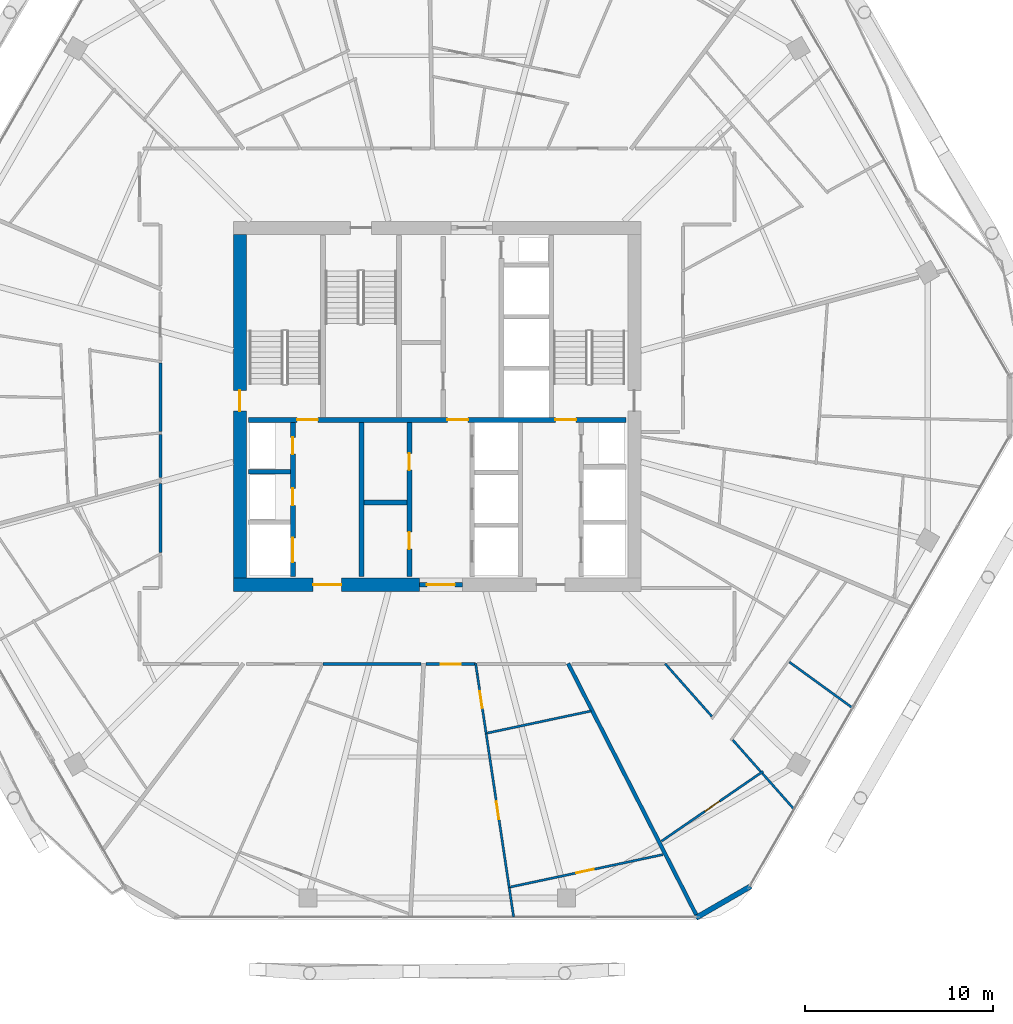
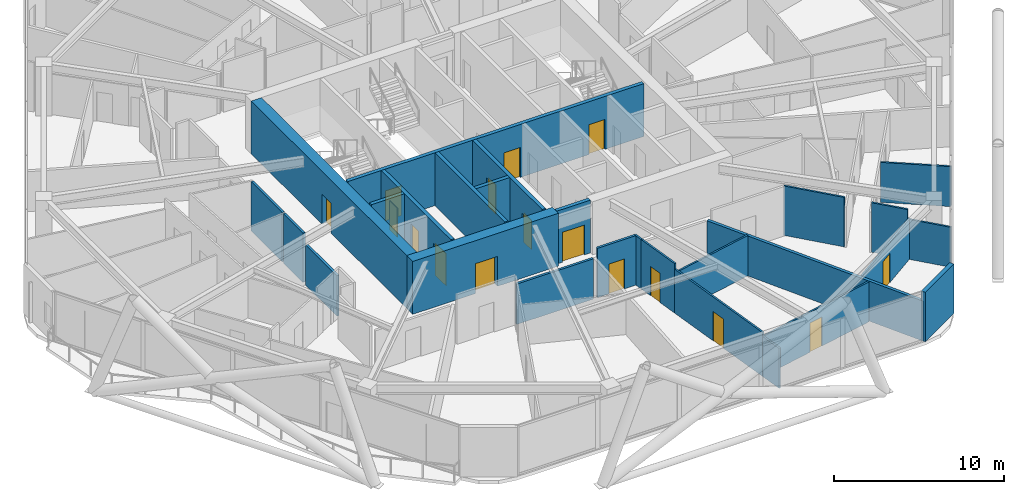
# One storey, part 22 of 29: 27 walls, 16 doors, 16 openings.
"""IFC4 building model written with IfcOpenShell, lengths in metres."""

from ifc_helpers import new_model, si_unit, direction, frame, frame_2d, origin, place, context, subcontext, project, spatial, rectangle, extrude, material, layer, layer_set, type_object, element, fill, save


model = new_model("IFC4")

# Units and contexts
model_context = context("Model", 3, precision=1e-05, world=origin(), true_north=direction((0.0, 1.0)))
body_context = subcontext(model_context, "Body", "Model", "MODEL_VIEW")
ifc_project = project(units=[si_unit("LENGTHUNIT", "METRE"), si_unit("AREAUNIT", "SQUARE_METRE"), si_unit("VOLUMEUNIT", "CUBIC_METRE"), si_unit("PLANEANGLEUNIT", "RADIAN"), si_unit("MASSUNIT", "GRAM", prefix="KILO")], contexts=[model_context])

# Site, building, storey
site_placement = place(None, origin())
site = spatial("IfcSite", under=ifc_project, at=site_placement, CompositionType="ELEMENT")
building_placement = place(site_placement, origin())
building = spatial("IfcBuilding", under=site, at=building_placement, Name="Zuhravey Tower", CompositionType="ELEMENT")
storey_placement = place(building_placement, frame((0.0, 0.0, 192.199951171875)))
storey = spatial("IfcBuildingStorey", under=building, at=storey_placement, Name="L48", CompositionType="ELEMENT", Elevation=192.199951171875)

# Wall, opening, door
ifc_material_1 = material(Name="Concrete C60/75", Category="concrete")
ifc_layer_1 = layer(ifc_material_1, 0.699951171875)
ifc_layer_set_1 = layer_set([ifc_layer_1], Name="Concrete C60/75")
wall_type_1 = type_object("IfcWallType", Name="Core Shear Wall 700", PredefinedType="SHEAR", material=ifc_layer_set_1)
wall_1_placement = place(storey_placement, frame((25.14990234375, 22.5, 0.0), z_axis=(0.0, 0.0, 1.0), x_axis=(1.0, 0.0, 0.0)))
wall_1 = element("IfcWall", 1, at=wall_1_placement, inside=storey, type_object=wall_type_1, Name="L48 South-West Core Shear Wall CW70", PredefinedType="SHEAR", context=body_context, shape_type="SweptSolid", body=[
    extrude(rectangle(XDim=9.900146484375, YDim=0.699951171875, at=frame_2d((4.9501953125, 0.0))), origin(), (0.0, 0.0, 1.0), 3.800048828125),
])
opening_1_placement = place(wall_1_placement, frame((4.25, 0.0, 0.0)))
opening_1 = element("IfcOpeningElement", 2, at=opening_1_placement, cuts=wall_1, Name="Opening FFD1", PredefinedType="OPENING", context=body_context, shape_type="SweptSolid", body=[
    extrude(rectangle(XDim=1.5, YDim=2.14990234375, at=frame_2d((0.75, 1.074951171875))), frame((0.0, 0.362060546875, 0.0), z_axis=(0.0, -1.0, 0.0), x_axis=(1.0, 0.0, 0.0)), (0.0, 0.0, 1.0), 0.723876953125),
])
ifc_material_2 = material(Name="Galvanised fire-rated steel leaf", Category="steel")
door_type_1 = type_object("IfcDoorType", Name="Firefighting Lobby Double Door 1500x2150", OperationType="DOUBLE_DOOR_SINGLE_SWING", PredefinedType="DOOR", material=ifc_material_2)
door_1_placement = place(opening_1_placement, origin())
door_1 = element("IfcDoor", 3, at=door_1_placement, inside=storey, type_object=door_type_1, Name="L48 Firefighting Lobby West Door", OperationType="DOUBLE_DOOR_SINGLE_SWING", OverallHeight=2.14990234375, OverallWidth=1.5, PredefinedType="DOOR", context=body_context, shape_type="SweptSolid", body=[
    extrude(rectangle(XDim=1.5, YDim=2.14990234375, at=frame_2d((0.75, 1.074951171875))), frame((0.0, 0.02490234375, 0.0), z_axis=(0.0, -1.0, 0.0), x_axis=(1.0, 0.0, 0.0)), (0.0, 0.0, 1.0), 0.050048828125),
])
fill(opening_1, door_1)

wall_2_placement = place(storey_placement, frame((25.5, 22.85009765625, 0.0), z_axis=(0.0, 0.0, 1.0), x_axis=(0.0, 1.0, 0.0)))
wall_2 = element("IfcWall", 4, at=wall_2_placement, inside=storey, type_object=wall_type_1, Name="L48 West Core Shear Wall CW70", PredefinedType="SHEAR", context=body_context, shape_type="SweptSolid", body=[
    extrude(rectangle(XDim=18.2998046875, YDim=0.699951171875, at=frame_2d((9.14990234375, 0.0))), origin(), (0.0, 0.0, 1.0), 3.800048828125),
])
opening_2_placement = place(wall_2_placement, frame((8.89990234375, 0.0, 0.0)))
opening_2 = element("IfcOpeningElement", 5, at=opening_2_placement, cuts=wall_2, Name="Opening STD1", PredefinedType="OPENING", context=body_context, shape_type="SweptSolid", body=[
    extrude(rectangle(XDim=1.10009765625, YDim=2.14990234375, at=frame_2d((0.550048828125, 1.074951171875))), frame((0.0, 0.362060546875, 0.0), z_axis=(0.0, -1.0, 0.0), x_axis=(1.0, 0.0, 0.0)), (0.0, 0.0, 1.0), 0.723876953125),
])
door_type_2 = type_object("IfcDoorType", Name="Protected Stair Fire Door 1100x2150", OperationType="NOTDEFINED", PredefinedType="USERDEFINED", material=ifc_material_2)
door_2_placement = place(opening_2_placement, frame((1.10009765625, 0.0, 0.0), z_axis=(0.0, 0.0, 1.0), x_axis=(-1.0, 0.0, 0.0)))
door_2 = element("IfcDoor", 6, at=door_2_placement, inside=storey, type_object=door_type_2, Name="L48 Stair ST1 Door", ObjectType="EXITDOOR", OperationType="SINGLE_SWING_LEFT", OverallHeight=2.14990234375, OverallWidth=1.10009765625, PredefinedType="USERDEFINED", context=body_context, shape_type="SweptSolid", body=[
    extrude(rectangle(XDim=1.10009765625, YDim=2.14990234375, at=frame_2d((0.550048828125, 1.074951171875))), frame((0.0, 0.02490234375, 0.0), z_axis=(0.0, -1.0, 0.0), x_axis=(1.0, 0.0, 0.0)), (0.0, 0.0, 1.0), 0.050048828125),
])
fill(opening_2, door_2)

ifc_material_3 = material(Name="Gypsum fire-rated stud partition")
ifc_layer_2 = layer(ifc_material_3, 0.159912109375)
ifc_layer_set_2 = layer_set([ifc_layer_2], Name="Gypsum fire-rated stud partition")
wall_type_2 = type_object("IfcWallType", Name="Corridor Fire Partition 160", PredefinedType="PARTITIONING", material=ifc_layer_set_2)
wall_3_placement = place(storey_placement, frame((35.420654296875, 18.27001953125, 0.0), z_axis=(0.0, 0.0, 1.0), x_axis=(1.0, 0.0, 0.0)))
wall_3 = element("IfcWall", 7, at=wall_3_placement, inside=storey, type_object=wall_type_2, Name="L48 IW16 Partition 050", PredefinedType="PARTITIONING", context=body_context, shape_type="SweptSolid", body=[
    extrude(rectangle(XDim=2.615966796875, YDim=0.159912109375, at=frame_2d((1.30810546875, 0.0))), origin(), (0.0, 0.0, 1.0), 3.550048828125),
])
opening_3_placement = place(wall_3_placement, frame((0.782958984375, 0.0, 0.0)))
opening_3 = element("IfcOpeningElement", 8, at=opening_3_placement, cuts=wall_3, Name="Opening APD1", PredefinedType="OPENING", context=body_context, shape_type="SweptSolid", body=[
    extrude(rectangle(XDim=1.050048828125, YDim=2.14990234375, at=frame_2d((0.52490234375, 1.074951171875))), frame((0.0, 0.092041015625, 0.0), z_axis=(0.0, -1.0, 0.0), x_axis=(1.0, 0.0, 0.0)), (0.0, 0.0, 1.0), 0.183837890625),
])
ifc_material_4 = material(Name="Solid-core oak fire-rated leaf")
door_type_3 = type_object("IfcDoorType", Name="Apartment Entrance Fire Door 1050x2150", OperationType="NOTDEFINED", PredefinedType="DOOR", material=ifc_material_4)
door_3_placement = place(opening_3_placement, frame((1.050048828125, 0.0, 0.0), z_axis=(0.0, 0.0, 1.0), x_axis=(-1.0, 0.0, 0.0)))
door_3 = element("IfcDoor", 9, at=door_3_placement, inside=storey, type_object=door_type_3, Name="L48 Door 050.1", OperationType="SINGLE_SWING_LEFT", OverallHeight=2.14990234375, OverallWidth=1.050048828125, PredefinedType="DOOR", context=body_context, shape_type="SweptSolid", body=[
    extrude(rectangle(XDim=1.050048828125, YDim=2.14990234375, at=frame_2d((0.52490234375, 1.074951171875))), frame((0.0, 0.02490234375, 0.0), z_axis=(0.0, -1.0, 0.0), x_axis=(1.0, 0.0, 0.0)), (0.0, 0.0, 1.0), 0.050048828125),
])
fill(opening_3, door_3)

# Walls
wall_4_placement = place(storey_placement, frame((21.27001953125, 34.3115234375, 0.0), z_axis=(0.0, 0.0, 1.0), x_axis=(0.0, -1.0, 0.0)))
element("IfcWall", 10, at=wall_4_placement, inside=storey, type_object=wall_type_2, Name="L48 IW16 Partition 136", PredefinedType="PARTITIONING", context=body_context, shape_type="SweptSolid", body=[
    extrude(rectangle(XDim=3.661865234375, YDim=0.159912109375, at=frame_2d((1.8310546875, 0.0))), origin(), (0.0, 0.0, 1.0), 3.550048828125),
])
wall_5_placement = place(storey_placement, frame((21.27001953125, 30.512939453125, 0.0), z_axis=(0.0, 0.0, 1.0), x_axis=(0.0, -1.0, 0.0)))
element("IfcWall", 11, at=wall_5_placement, inside=storey, type_object=wall_type_2, Name="L48 IW16 Partition 137", PredefinedType="PARTITIONING", context=body_context, shape_type="SweptSolid", body=[
    extrude(rectangle(XDim=2.3017578125, YDim=0.159912109375, at=frame_2d((1.15087890625, 0.0))), origin(), (0.0, 0.0, 1.0), 3.550048828125),
])
wall_6_placement = place(storey_placement, frame((21.27001953125, 27.894287109375, 0.0), z_axis=(0.0, 0.0, 1.0), x_axis=(0.0, -1.0, 0.0)))
element("IfcWall", 12, at=wall_6_placement, inside=storey, type_object=wall_type_2, Name="L48 IW16 Partition 141", PredefinedType="PARTITIONING", context=body_context, shape_type="SweptSolid", body=[
    extrude(rectangle(XDim=3.67578125, YDim=0.159912109375, at=frame_2d((1.837890625, 0.0))), origin(), (0.0, 0.0, 1.0), 2.900146484375),
])
wall_7_placement = place(storey_placement, frame((29.92041015625, 18.27001953125, 0.0), z_axis=(0.0, 0.0, 1.0), x_axis=(1.0, 0.0, 0.0)))
element("IfcWall", 13, at=wall_7_placement, inside=storey, type_object=wall_type_2, Name="L48 IW16 Partition 142", PredefinedType="PARTITIONING", context=body_context, shape_type="SweptSolid", body=[
    extrude(rectangle(XDim=5.2197265625, YDim=0.159912109375, at=frame_2d((2.60986328125, 0.0))), origin(), (0.0, 0.0, 1.0), 2.900146484375),
])
ifc_material_5 = material(Name="Precast concrete C40/50", Category="concrete")
ifc_layer_3 = layer(ifc_material_5, 0.280029296875)
ifc_layer_set_3 = layer_set([ifc_layer_3], Name="Precast concrete C40/50")
wall_type_3 = type_object("IfcWallType", Name="Crown Architectural Wall 280", PredefinedType="SOLIDWALL", material=ifc_layer_set_3)
wall_8_placement = place(storey_placement, frame((52.693115234375, 6.451904296875, 0.0), z_axis=(0.0, 0.0, 1.0), x_axis=(-0.866020068361, -0.500009241111, 0.0)))
element("IfcWall", 14, at=wall_8_placement, inside=storey, type_object=wall_type_3, Name="L48 Rounded Corner Closure Wall EW28-02", PredefinedType="SOLIDWALL", context=body_context, shape_type="SweptSolid", body=[
    extrude(rectangle(XDim=3.365234375, YDim=0.280029296875, at=frame_2d((1.6826171875, 0.0))), origin(), (0.0, 0.0, 1.0), 3.550048828125),
])

# Wall, opening, door
ifc_material_6 = material(Name="Concrete C50/60", Category="concrete")
ifc_layer_4 = layer(ifc_material_6, 0.25)
ifc_layer_set_4 = layer_set([ifc_layer_4], Name="Concrete C50/60")
wall_type_4 = type_object("IfcWallType", Name="Firefighting Shaft & Stair Wall 250", PredefinedType="SOLIDWALL", material=ifc_layer_set_4)
wall_9_placement = place(storey_placement, frame((35.06005859375, 22.5, 0.0), z_axis=(0.0, 0.0, 1.0), x_axis=(1.0, 0.0, 0.0)))
wall_9 = element("IfcWall", 15, at=wall_9_placement, inside=storey, type_object=wall_type_4, Name="L48 FW25 Shaft Wall 001", PredefinedType="SOLIDWALL", context=body_context, shape_type="SweptSolid", body=[
    extrude(rectangle(XDim=2.280029296875, YDim=0.25, at=frame_2d((1.14013671875, 0.0))), origin(), (0.0, 0.0, 1.0), 3.800048828125),
])
opening_4_placement = place(wall_9_placement, frame((0.389892578125, 0.0, 0.0)))
opening_4 = element("IfcOpeningElement", 16, at=opening_4_placement, cuts=wall_9, Name="Opening FFD1", PredefinedType="OPENING", context=body_context, shape_type="SweptSolid", body=[
    extrude(rectangle(XDim=1.5, YDim=2.14990234375, at=frame_2d((0.75, 1.074951171875))), frame((0.0, 0.136962890625, 0.0), z_axis=(0.0, -1.0, 0.0), x_axis=(1.0, 0.0, 0.0)), (0.0, 0.0, 1.0), 0.27392578125),
])
door_4_placement = place(opening_4_placement, frame((1.5, 0.0, 0.0), z_axis=(0.0, 0.0, 1.0), x_axis=(-1.0, 0.0, 0.0)))
door_4 = element("IfcDoor", 17, at=door_4_placement, inside=storey, type_object=door_type_1, Name="L48 South Lift Lobby Exit Door", OperationType="DOUBLE_DOOR_SINGLE_SWING", OverallHeight=2.14990234375, OverallWidth=1.5, PredefinedType="DOOR", context=body_context, shape_type="SweptSolid", body=[
    extrude(rectangle(XDim=1.5, YDim=2.14990234375, at=frame_2d((0.75, 1.074951171875))), frame((0.0, 0.02490234375, 0.0), z_axis=(0.0, -1.0, 0.0), x_axis=(1.0, 0.0, 0.0)), (0.0, 0.0, 1.0), 0.050048828125),
])
fill(opening_4, door_4)

# Wall, openings, doors
wall_10_placement = place(storey_placement, frame((25.949951171875, 31.27490234375, 0.0), z_axis=(0.0, 0.0, 1.0), x_axis=(1.0, 0.0, 0.0)))
wall_10 = element("IfcWall", 18, at=wall_10_placement, inside=storey, type_object=wall_type_4, Name="L48 FW25 Shaft Wall 003", PredefinedType="SOLIDWALL", context=body_context, shape_type="SweptSolid", body=[
    extrude(rectangle(XDim=20.10009765625, YDim=0.25, at=frame_2d((10.050048828125, 0.0))), origin(), (0.0, 0.0, 1.0), 3.800048828125),
])
opening_5_placement = place(wall_10_placement, frame((2.60009765625, 0.0, 0.0)))
opening_5 = element("IfcOpeningElement", 19, at=opening_5_placement, cuts=wall_10, Name="Opening STD1", PredefinedType="OPENING", context=body_context, shape_type="SweptSolid", body=[
    extrude(rectangle(XDim=1.10009765625, YDim=2.14990234375, at=frame_2d((0.550048828125, 1.074951171875))), frame((0.0, 0.136962890625, 0.0), z_axis=(0.0, -1.0, 0.0), x_axis=(1.0, 0.0, 0.0)), (0.0, 0.0, 1.0), 0.27392578125),
])
opening_6_placement = place(wall_10_placement, frame((10.60009765625, 0.0, 0.0)))
opening_6 = element("IfcOpeningElement", 20, at=opening_6_placement, cuts=wall_10, Name="Opening STD1", PredefinedType="OPENING", context=body_context, shape_type="SweptSolid", body=[
    extrude(rectangle(XDim=1.10009765625, YDim=2.14990234375, at=frame_2d((0.550048828125, 1.074951171875))), frame((0.0, 0.136962890625, 0.0), z_axis=(0.0, -1.0, 0.0), x_axis=(1.0, 0.0, 0.0)), (0.0, 0.0, 1.0), 0.27392578125),
])
opening_7_placement = place(wall_10_placement, frame((16.35009765625, 0.0, 0.0)))
opening_7 = element("IfcOpeningElement", 21, at=opening_7_placement, cuts=wall_10, Name="Opening STD1", PredefinedType="OPENING", context=body_context, shape_type="SweptSolid", body=[
    extrude(rectangle(XDim=1.10009765625, YDim=2.14990234375, at=frame_2d((0.550048828125, 1.074951171875))), frame((0.0, 0.136962890625, 0.0), z_axis=(0.0, -1.0, 0.0), x_axis=(1.0, 0.0, 0.0)), (0.0, 0.0, 1.0), 0.27392578125),
])
door_5_placement = place(opening_5_placement, origin())
door_5 = element("IfcDoor", 22, at=door_5_placement, inside=storey, type_object=door_type_2, Name="L48 FFL-W to ST1 Door", ObjectType="EXITDOOR", OperationType="SINGLE_SWING_RIGHT", OverallHeight=2.14990234375, OverallWidth=1.10009765625, PredefinedType="USERDEFINED", context=body_context, shape_type="SweptSolid", body=[
    extrude(rectangle(XDim=1.10009765625, YDim=2.14990234375, at=frame_2d((0.550048828125, 1.074951171875))), frame((0.0, 0.02490234375, 0.0), z_axis=(0.0, -1.0, 0.0), x_axis=(1.0, 0.0, 0.0)), (0.0, 0.0, 1.0), 0.050048828125),
])
fill(opening_5, door_5)
door_6_placement = place(opening_6_placement, origin())
door_6 = element("IfcDoor", 23, at=door_6_placement, inside=storey, type_object=door_type_2, Name="L48 Core Lobby Link Door", ObjectType="EXITDOOR", OperationType="SINGLE_SWING_LEFT", OverallHeight=2.14990234375, OverallWidth=1.10009765625, PredefinedType="USERDEFINED", context=body_context, shape_type="SweptSolid", body=[
    extrude(rectangle(XDim=1.10009765625, YDim=2.14990234375, at=frame_2d((0.550048828125, 1.074951171875))), frame((0.0, 0.02490234375, 0.0), z_axis=(0.0, -1.0, 0.0), x_axis=(1.0, 0.0, 0.0)), (0.0, 0.0, 1.0), 0.050048828125),
])
fill(opening_6, door_6)
door_7_placement = place(opening_7_placement, origin())
door_7 = element("IfcDoor", 24, at=door_7_placement, inside=storey, type_object=door_type_2, Name="L48 FFL-E to ST2 Door", ObjectType="EXITDOOR", OperationType="SINGLE_SWING_RIGHT", OverallHeight=2.14990234375, OverallWidth=1.10009765625, PredefinedType="USERDEFINED", context=body_context, shape_type="SweptSolid", body=[
    extrude(rectangle(XDim=1.10009765625, YDim=2.14990234375, at=frame_2d((0.550048828125, 1.074951171875))), frame((0.0, 0.02490234375, 0.0), z_axis=(0.0, -1.0, 0.0), x_axis=(1.0, 0.0, 0.0)), (0.0, 0.0, 1.0), 0.050048828125),
])
fill(opening_7, door_7)

# Wall
wall_11_placement = place(storey_placement, frame((25.949951171875, 28.52490234375, 0.0), z_axis=(0.0, 0.0, 1.0), x_axis=(1.0, 0.0, 0.0)))
element("IfcWall", 25, at=wall_11_placement, inside=storey, type_object=wall_type_4, Name="L48 FW25 Shaft Wall 010", PredefinedType="SOLIDWALL", context=body_context, shape_type="SweptSolid", body=[
    extrude(rectangle(XDim=2.25, YDim=0.25, at=frame_2d((1.125, 0.0))), origin(), (0.0, 0.0, 1.0), 3.800048828125),
])

# Wall, openings, doors
wall_12_placement = place(storey_placement, frame((28.324951171875, 22.949951171875, 0.0), z_axis=(0.0, 0.0, 1.0), x_axis=(0.0, 1.0, 0.0)))
wall_12 = element("IfcWall", 26, at=wall_12_placement, inside=storey, type_object=wall_type_4, Name="L48 FW25 Shaft Wall 011", PredefinedType="SOLIDWALL", context=body_context, shape_type="SweptSolid", body=[
    extrude(rectangle(XDim=8.199951171875, YDim=0.25, at=frame_2d((4.10009765625, 0.0))), origin(), (0.0, 0.0, 1.0), 3.800048828125),
])
opening_8_placement = place(wall_12_placement, frame((0.75, 0.0, 0.0)))
opening_8 = element("IfcOpeningElement", 27, at=opening_8_placement, cuts=wall_12, Name="Opening LD2", PredefinedType="OPENING", context=body_context, shape_type="SweptSolid", body=[
    extrude(rectangle(XDim=1.300048828125, YDim=2.300048828125, at=frame_2d((0.64990234375, 1.14990234375))), frame((0.0, 0.136962890625, 0.0), z_axis=(0.0, -1.0, 0.0), x_axis=(1.0, 0.0, 0.0)), (0.0, 0.0, 1.0), 0.27392578125),
])
opening_9_placement = place(wall_12_placement, frame((3.780029296875, 0.0, 0.0)))
opening_9 = element("IfcOpeningElement", 28, at=opening_9_placement, cuts=wall_12, Name="Opening RSD1", PredefinedType="OPENING", context=body_context, shape_type="SweptSolid", body=[
    extrude(rectangle(XDim=0.89990234375, YDim=2.10009765625, at=frame_2d((0.449951171875, 1.050048828125))), frame((0.0, 0.136962890625, 0.0), z_axis=(0.0, -1.0, 0.0), x_axis=(1.0, 0.0, 0.0)), (0.0, 0.0, 1.0), 0.27392578125),
])
opening_10_placement = place(wall_12_placement, frame((6.5, 0.0, 0.0)))
opening_10 = element("IfcOpeningElement", 29, at=opening_10_placement, cuts=wall_12, Name="Opening RSD1", PredefinedType="OPENING", context=body_context, shape_type="SweptSolid", body=[
    extrude(rectangle(XDim=0.89990234375, YDim=2.10009765625, at=frame_2d((0.449951171875, 1.050048828125))), frame((0.0, 0.136962890625, 0.0), z_axis=(0.0, -1.0, 0.0), x_axis=(1.0, 0.0, 0.0)), (0.0, 0.0, 1.0), 0.27392578125),
])
ifc_material_7 = material(Name="Brushed stainless steel", Category="steel")
door_type_4 = type_object("IfcDoorType", Name="Freight & Stretcher Lift Sliding Door 1300x2300", OperationType="DOUBLE_DOOR_SLIDING", PredefinedType="DOOR", material=ifc_material_7)
door_8_placement = place(opening_8_placement, frame((1.300048828125, 0.0, 0.0), z_axis=(0.0, 0.0, 1.0), x_axis=(-1.0, 0.0, 0.0)))
door_8 = element("IfcDoor", 30, at=door_8_placement, inside=storey, type_object=door_type_4, Name="L48 Lift FF1 Landing Door", OperationType="DOUBLE_DOOR_SLIDING", OverallHeight=2.300048828125, OverallWidth=1.300048828125, PredefinedType="DOOR", context=body_context, shape_type="SweptSolid", body=[
    extrude(rectangle(XDim=1.300048828125, YDim=2.300048828125, at=frame_2d((0.64990234375, 1.14990234375))), frame((0.0, 0.02490234375, 0.0), z_axis=(0.0, -1.0, 0.0), x_axis=(1.0, 0.0, 0.0)), (0.0, 0.0, 1.0), 0.050048828125),
])
fill(opening_8, door_8)
ifc_material_8 = material(Name="Galvanised fire-rated steel access leaf", Category="steel")
door_type_5 = type_object("IfcDoorType", Name="Riser & Shaft Access Fire Door 900x2100", OperationType="NOTDEFINED", PredefinedType="DOOR", material=ifc_material_8)
door_9_placement = place(opening_9_placement, frame((0.89990234375, 0.0, 0.0), z_axis=(0.0, 0.0, 1.0), x_axis=(-1.0, 0.0, 0.0)))
door_9 = element("IfcDoor", 31, at=door_9_placement, inside=storey, type_object=door_type_5, Name="L48 Electrical Riser Door", OperationType="SINGLE_SWING_RIGHT", OverallHeight=2.10009765625, OverallWidth=0.89990234375, PredefinedType="DOOR", context=body_context, shape_type="SweptSolid", body=[
    extrude(rectangle(XDim=0.89990234375, YDim=2.10009765625, at=frame_2d((0.449951171875, 1.050048828125))), frame((0.0, 0.02490234375, 0.0), z_axis=(0.0, -1.0, 0.0), x_axis=(1.0, 0.0, 0.0)), (0.0, 0.0, 1.0), 0.050048828125),
])
fill(opening_9, door_9)
door_10_placement = place(opening_10_placement, frame((0.89990234375, 0.0, 0.0), z_axis=(0.0, 0.0, 1.0), x_axis=(-1.0, 0.0, 0.0)))
door_10 = element("IfcDoor", 32, at=door_10_placement, inside=storey, type_object=door_type_5, Name="L48 Smoke Shaft Access Door", OperationType="SINGLE_SWING_LEFT", OverallHeight=2.10009765625, OverallWidth=0.89990234375, PredefinedType="DOOR", context=body_context, shape_type="SweptSolid", body=[
    extrude(rectangle(XDim=0.89990234375, YDim=2.10009765625, at=frame_2d((0.449951171875, 1.050048828125))), frame((0.0, 0.02490234375, 0.0), z_axis=(0.0, -1.0, 0.0), x_axis=(1.0, 0.0, 0.0)), (0.0, 0.0, 1.0), 0.050048828125),
])
fill(opening_10, door_10)

# Walls
wall_13_placement = place(storey_placement, frame((31.97509765625, 22.949951171875, 0.0), z_axis=(0.0, 0.0, 1.0), x_axis=(0.0, 1.0, 0.0)))
element("IfcWall", 33, at=wall_13_placement, inside=storey, type_object=wall_type_4, Name="L48 FW25 Shaft Wall 012", PredefinedType="SOLIDWALL", context=body_context, shape_type="SweptSolid", body=[
    extrude(rectangle(XDim=8.199951171875, YDim=0.25, at=frame_2d((4.10009765625, 0.0))), origin(), (0.0, 0.0, 1.0), 3.800048828125),
])
wall_14_placement = place(storey_placement, frame((32.10009765625, 26.875, 0.0), z_axis=(0.0, 0.0, 1.0), x_axis=(1.0, 0.0, 0.0)))
element("IfcWall", 34, at=wall_14_placement, inside=storey, type_object=wall_type_4, Name="L48 FW25 Shaft Wall 013", PredefinedType="SOLIDWALL", context=body_context, shape_type="SweptSolid", body=[
    extrude(rectangle(XDim=2.2998046875, YDim=0.25, at=frame_2d((1.14990234375, 0.0))), origin(), (0.0, 0.0, 1.0), 3.800048828125),
])

# Wall, openings, doors
wall_15_placement = place(storey_placement, frame((34.52490234375, 22.949951171875, 0.0), z_axis=(0.0, 0.0, 1.0), x_axis=(0.0, 1.0, 0.0)))
wall_15 = element("IfcWall", 35, at=wall_15_placement, inside=storey, type_object=wall_type_4, Name="L48 FW25 Shaft Wall 014", PredefinedType="SOLIDWALL", context=body_context, shape_type="SweptSolid", body=[
    extrude(rectangle(XDim=8.199951171875, YDim=0.25, at=frame_2d((4.10009765625, 0.0))), origin(), (0.0, 0.0, 1.0), 3.800048828125),
])
opening_11_placement = place(wall_15_placement, frame((1.449951171875, 0.0, 0.0)))
opening_11 = element("IfcOpeningElement", 36, at=opening_11_placement, cuts=wall_15, Name="Opening RSD1", PredefinedType="OPENING", context=body_context, shape_type="SweptSolid", body=[
    extrude(rectangle(XDim=0.89990234375, YDim=2.10009765625, at=frame_2d((0.449951171875, 1.050048828125))), frame((0.0, 0.136962890625, 0.0), z_axis=(0.0, -1.0, 0.0), x_axis=(1.0, 0.0, 0.0)), (0.0, 0.0, 1.0), 0.27392578125),
])
opening_12_placement = place(wall_15_placement, frame((5.64990234375, 0.0, 0.0)))
opening_12 = element("IfcOpeningElement", 37, at=opening_12_placement, cuts=wall_15, Name="Opening RSD1", PredefinedType="OPENING", context=body_context, shape_type="SweptSolid", body=[
    extrude(rectangle(XDim=0.89990234375, YDim=2.10009765625, at=frame_2d((0.449951171875, 1.050048828125))), frame((0.0, 0.136962890625, 0.0), z_axis=(0.0, -1.0, 0.0), x_axis=(1.0, 0.0, 0.0)), (0.0, 0.0, 1.0), 0.27392578125),
])
door_11_placement = place(opening_11_placement, origin())
door_11 = element("IfcDoor", 38, at=door_11_placement, inside=storey, type_object=door_type_5, Name="L48 Housekeeping and Linen Room Door", OperationType="SINGLE_SWING_RIGHT", OverallHeight=2.10009765625, OverallWidth=0.89990234375, PredefinedType="DOOR", context=body_context, shape_type="SweptSolid", body=[
    extrude(rectangle(XDim=0.89990234375, YDim=2.10009765625, at=frame_2d((0.449951171875, 1.050048828125))), frame((0.0, 0.02490234375, 0.0), z_axis=(0.0, -1.0, 0.0), x_axis=(1.0, 0.0, 0.0)), (0.0, 0.0, 1.0), 0.050048828125),
])
fill(opening_11, door_11)
door_12_placement = place(opening_12_placement, origin())
door_12 = element("IfcDoor", 39, at=door_12_placement, inside=storey, type_object=door_type_5, Name="L48 Telecoms Switch Closet Door", OperationType="SINGLE_SWING_LEFT", OverallHeight=2.10009765625, OverallWidth=0.89990234375, PredefinedType="DOOR", context=body_context, shape_type="SweptSolid", body=[
    extrude(rectangle(XDim=0.89990234375, YDim=2.10009765625, at=frame_2d((0.449951171875, 1.050048828125))), frame((0.0, 0.02490234375, 0.0), z_axis=(0.0, -1.0, 0.0), x_axis=(1.0, 0.0, 0.0)), (0.0, 0.0, 1.0), 0.050048828125),
])
fill(opening_12, door_12)

# Wall
ifc_material_9 = material(Name="Gypsum double-stud party assembly")
ifc_layer_5 = layer(ifc_material_9, 0.199951171875)
ifc_layer_set_5 = layer_set([ifc_layer_5], Name="Gypsum double-stud party assembly")
wall_type_5 = type_object("IfcWallType", Name="Inter-Tenancy Party Wall 200", PredefinedType="PARTITIONING", material=ifc_layer_set_5)
wall_16_placement = place(storey_placement, frame((42.975341796875, 18.31005859375, 0.0), z_axis=(0.0, 0.0, 1.0), x_axis=(0.453997506489, -0.891002954037, 0.0)))
element("IfcWall", 40, at=wall_16_placement, inside=storey, type_object=wall_type_5, Name="L48 IW20 Partition 112", PredefinedType="PARTITIONING", context=body_context, shape_type="SweptSolid", body=[
    extrude(rectangle(XDim=15.143798828125, YDim=0.199951171875, at=frame_2d((7.57177734375, 0.0))), origin(), (0.0, 0.0, 1.0), 2.8701171875),
])

# Wall, opening, door
ifc_material_10 = material(Name="Gypsum metal-stud partition")
ifc_layer_6 = layer(ifc_material_10, 0.1201171875)
ifc_layer_set_6 = layer_set([ifc_layer_6], Name="Gypsum metal-stud partition")
wall_type_6 = type_object("IfcWallType", Name="Unit Internal Partition 120", PredefinedType="PARTITIONING", material=ifc_layer_set_6)
wall_17_placement = place(storey_placement, frame((38.142333984375, 17.699951171875, 0.0), z_axis=(0.0, 0.0, 1.0), x_axis=(0.148099173733, -0.988972514653, 0.0)))
wall_17 = element("IfcWall", 41, at=wall_17_placement, inside=storey, type_object=wall_type_6, Name="L48 IW12 Partition 047", PredefinedType="PARTITIONING", context=body_context, shape_type="SweptSolid", body=[
    extrude(rectangle(XDim=3.166748046875, YDim=0.1201171875, at=frame_2d((1.58349609375, 0.0))), origin(), (0.0, 0.0, 1.0), 3.550048828125),
])
opening_13_placement = place(wall_17_placement, frame((0.8798828125, 0.0, 0.0)))
opening_13 = element("IfcOpeningElement", 42, at=opening_13_placement, cuts=wall_17, Name="Opening WCD1", PredefinedType="OPENING", context=body_context, shape_type="SweptSolid", body=[
    extrude(rectangle(XDim=0.89990234375, YDim=2.10009765625, at=frame_2d((0.449951171875, 1.050048828125))), frame((0.0, 0.072021484375, 0.0), z_axis=(0.0, -1.0, 0.0), x_axis=(1.0, 0.0, 0.0)), (0.0, 0.0, 1.0), 0.14404296875),
])
ifc_material_11 = material(Name="Moisture-resistant timber leaf", Category="wood")
door_type_6 = type_object("IfcDoorType", Name="Bathroom & WC Internal Door 900x2100", OperationType="NOTDEFINED", PredefinedType="DOOR", material=ifc_material_11)
door_13_placement = place(opening_13_placement, origin())
door_13 = element("IfcDoor", 43, at=door_13_placement, inside=storey, type_object=door_type_6, Name="Apartment L48-08 Bathroom Door", OperationType="SINGLE_SWING_RIGHT", OverallHeight=2.10009765625, OverallWidth=0.89990234375, PredefinedType="DOOR", context=body_context, shape_type="SweptSolid", body=[
    extrude(rectangle(XDim=0.89990234375, YDim=2.10009765625, at=frame_2d((0.449951171875, 1.050048828125))), frame((0.0, 0.02490234375, 0.0), z_axis=(0.0, -1.0, 0.0), x_axis=(1.0, 0.0, 0.0)), (0.0, 0.0, 1.0), 0.050048828125),
])
fill(opening_13, door_13)

wall_18_placement = place(storey_placement, frame((38.611328125, 14.568115234375, 0.0), z_axis=(0.0, 0.0, 1.0), x_axis=(0.148161808742, -0.988963132999, 0.0)))
wall_18 = element("IfcWall", 44, at=wall_18_placement, inside=storey, type_object=wall_type_6, Name="L48 IW12 Partition 048", PredefinedType="PARTITIONING", context=body_context, shape_type="SweptSolid", body=[
    extrude(rectangle(XDim=8.286865234375, YDim=0.1201171875, at=frame_2d((4.1435546875, 0.0))), origin(), (0.0, 0.0, 1.0), 3.150146484375),
])
opening_14_placement = place(wall_18_placement, frame((3.643310546875, 0.0, 0.0)))
opening_14 = element("IfcOpeningElement", 45, at=opening_14_placement, cuts=wall_18, Name="Opening IND1", PredefinedType="OPENING", context=body_context, shape_type="SweptSolid", body=[
    extrude(rectangle(XDim=0.949951171875, YDim=2.10009765625, at=frame_2d((0.47509765625, 1.050048828125))), frame((0.0, 0.072021484375, 0.0), z_axis=(0.0, -1.0, 0.0), x_axis=(1.0, 0.0, 0.0)), (0.0, 0.0, 1.0), 0.14404296875),
])
ifc_material_12 = material(Name="Painted engineered timber leaf", Category="wood")
door_type_7 = type_object("IfcDoorType", Name="Internal Room & Bedroom Door 950x2100", OperationType="NOTDEFINED", PredefinedType="DOOR", material=ifc_material_12)
door_14_placement = place(opening_14_placement, origin())
door_14 = element("IfcDoor", 46, at=door_14_placement, inside=storey, type_object=door_type_7, Name="Apartment L48-08 Home Office Door", OperationType="SINGLE_SWING_LEFT", OverallHeight=2.10009765625, OverallWidth=0.949951171875, PredefinedType="DOOR", context=body_context, shape_type="SweptSolid", body=[
    extrude(rectangle(XDim=0.949951171875, YDim=2.10009765625, at=frame_2d((0.47509765625, 1.050048828125))), frame((0.0, 0.02490234375, 0.0), z_axis=(0.0, -1.0, 0.0), x_axis=(1.0, 0.0, 0.0)), (0.0, 0.0, 1.0), 0.050048828125),
])
fill(opening_14, door_14)

wall_19_placement = place(storey_placement, frame((39.902099609375, 6.411865234375, 0.0), z_axis=(0.0, 0.0, 1.0), x_axis=(0.978148894312, 0.207905604918, 0.0)))
wall_19 = element("IfcWall", 47, at=wall_19_placement, inside=storey, type_object=wall_type_6, Name="L48 IW12 Partition 049", PredefinedType="PARTITIONING", context=body_context, shape_type="SweptSolid", body=[
    extrude(rectangle(XDim=8.289306640625, YDim=0.1201171875, at=frame_2d((4.14453125, 0.0))), origin(), (0.0, 0.0, 1.0), 2.8701171875),
])
opening_15_placement = place(wall_19_placement, frame((3.585693359375, 0.0, 0.0)))
opening_15 = element("IfcOpeningElement", 48, at=opening_15_placement, cuts=wall_19, Name="Opening IND1", PredefinedType="OPENING", context=body_context, shape_type="SweptSolid", body=[
    extrude(rectangle(XDim=0.949951171875, YDim=2.10009765625, at=frame_2d((0.47509765625, 1.050048828125))), frame((0.0, 0.072021484375, 0.0), z_axis=(0.0, -1.0, 0.0), x_axis=(1.0, 0.0, 0.0)), (0.0, 0.0, 1.0), 0.14404296875),
])
door_15_placement = place(opening_15_placement, frame((0.949951171875, 0.0, 0.0), z_axis=(0.0, 0.0, 1.0), x_axis=(-1.0, 0.0, 0.0)))
door_15 = element("IfcDoor", 49, at=door_15_placement, inside=storey, type_object=door_type_7, Name="Apartment L48-08 Kitchen Door", OperationType="SINGLE_SWING_RIGHT", OverallHeight=2.10009765625, OverallWidth=0.949951171875, PredefinedType="DOOR", context=body_context, shape_type="SweptSolid", body=[
    extrude(rectangle(XDim=0.949951171875, YDim=2.10009765625, at=frame_2d((0.47509765625, 1.050048828125))), frame((0.0, 0.02490234375, 0.0), z_axis=(0.0, -1.0, 0.0), x_axis=(1.0, 0.0, 0.0)), (0.0, 0.0, 1.0), 0.050048828125),
])
fill(opening_15, door_15)

wall_20_placement = place(storey_placement, frame((47.939697265625, 8.847412109375, 0.0), z_axis=(0.0, 0.0, 1.0), x_axis=(0.823925822712, 0.566697660723, 0.0)))
wall_20 = element("IfcWall", 50, at=wall_20_placement, inside=storey, type_object=wall_type_6, Name="L48 IW12 Partition 051", PredefinedType="PARTITIONING", context=body_context, shape_type="SweptSolid", body=[
    extrude(rectangle(XDim=6.56591796875, YDim=0.1201171875, at=frame_2d((3.282958984375, 0.0))), origin(), (0.0, 0.0, 1.0), 2.8701171875),
])
opening_16_placement = place(wall_20_placement, frame((2.807861328125, 0.0, 0.0)))
opening_16 = element("IfcOpeningElement", 51, at=opening_16_placement, cuts=wall_20, Name="Opening IND1", PredefinedType="OPENING", context=body_context, shape_type="SweptSolid", body=[
    extrude(rectangle(XDim=0.949951171875, YDim=2.10009765625, at=frame_2d((0.47509765625, 1.050048828125))), frame((0.0, 0.072021484375, 0.0), z_axis=(0.0, -1.0, 0.0), x_axis=(1.0, 0.0, 0.0)), (0.0, 0.0, 1.0), 0.14404296875),
])
door_16_placement = place(opening_16_placement, frame((0.949951171875, 0.0, 0.0), z_axis=(0.0, 0.0, 1.0), x_axis=(-1.0, 0.0, 0.0)))
door_16 = element("IfcDoor", 52, at=door_16_placement, inside=storey, type_object=door_type_7, Name="Apartment L48-09 Family Study Door", OperationType="SINGLE_SWING_RIGHT", OverallHeight=2.10009765625, OverallWidth=0.949951171875, PredefinedType="DOOR", context=body_context, shape_type="SweptSolid", body=[
    extrude(rectangle(XDim=0.949951171875, YDim=2.10009765625, at=frame_2d((0.47509765625, 1.050048828125))), frame((0.0, 0.02490234375, 0.0), z_axis=(0.0, -1.0, 0.0), x_axis=(1.0, 0.0, 0.0)), (0.0, 0.0, 1.0), 0.050048828125),
])
fill(opening_16, door_16)

# Walls
wall_21_placement = place(storey_placement, frame((38.05029296875, 18.314697265625, 0.0), z_axis=(0.0, 0.0, 1.0), x_axis=(0.148071563401, -0.988976648922, 0.0)))
element("IfcWall", 53, at=wall_21_placement, inside=storey, type_object=wall_type_6, Name="L48 IW12 Partition 109", PredefinedType="PARTITIONING", context=body_context, shape_type="SweptSolid", body=[
    extrude(rectangle(XDim=0.62158203125, YDim=0.1201171875, at=frame_2d((0.310791015625, 0.0))), origin(), (0.0, 0.0, 1.0), 3.550048828125),
])
wall_22_placement = place(storey_placement, frame((39.839111328125, 6.372802734375, 0.0), z_axis=(0.0, 0.0, 1.0), x_axis=(0.148196726009, -0.988957901227, 0.0)))
element("IfcWall", 54, at=wall_22_placement, inside=storey, type_object=wall_type_6, Name="L48 IW12 Partition 110", PredefinedType="PARTITIONING", context=body_context, shape_type="SweptSolid", body=[
    extrude(rectangle(XDim=1.578125, YDim=0.1201171875, at=frame_2d((0.7890625, 0.0))), origin(), (0.0, 0.0, 1.0), 2.8701171875),
])
wall_23_placement = place(storey_placement, frame((38.67431640625, 14.60693359375, 0.0), z_axis=(0.0, 0.0, 1.0), x_axis=(0.978141487947, 0.207940447142, 0.0)))
element("IfcWall", 55, at=wall_23_placement, inside=storey, type_object=wall_type_6, Name="L48 IW12 Partition 111", PredefinedType="PARTITIONING", context=body_context, shape_type="SweptSolid", body=[
    extrude(rectangle(XDim=5.6474609375, YDim=0.1201171875, at=frame_2d((2.82373046875, 0.0))), origin(), (0.0, 0.0, 1.0), 2.900146484375),
])
wall_24_placement = place(storey_placement, frame((54.751708984375, 18.385986328125, 0.0), z_axis=(0.0, 0.0, 1.0), x_axis=(0.809234621537, -0.587485597531, 0.0)))
element("IfcWall", 56, at=wall_24_placement, inside=storey, type_object=wall_type_6, Name="L48 IW12 Partition 114", PredefinedType="PARTITIONING", context=body_context, shape_type="SweptSolid", body=[
    extrude(rectangle(XDim=4.16943359375, YDim=0.1201171875, at=frame_2d((2.084716796875, 0.0))), origin(), (0.0, 0.0, 1.0), 2.8701171875),
])
wall_25_placement = place(storey_placement, frame((48.1376953125, 18.300048828125, 0.0), z_axis=(0.0, 0.0, 1.0), x_axis=(0.663123743862, -0.748509786393, 0.0)))
element("IfcWall", 57, at=wall_25_placement, inside=storey, type_object=wall_type_6, Name="L48 IW12 Partition 115", PredefinedType="PARTITIONING", context=body_context, shape_type="SweptSolid", body=[
    extrude(rectangle(XDim=3.754150390625, YDim=0.1201171875, at=frame_2d((1.876953125, 0.0))), origin(), (0.0, 0.0, 1.0), 3.550048828125),
])
wall_26_placement = place(storey_placement, frame((51.738525390625, 14.23583984375, 0.0), z_axis=(0.0, 0.0, 1.0), x_axis=(0.663176854864, -0.74846273065, 0.0)))
element("IfcWall", 58, at=wall_26_placement, inside=storey, type_object=wall_type_6, Name="L48 IW12 Partition 116", PredefinedType="PARTITIONING", context=body_context, shape_type="SweptSolid", body=[
    extrude(rectangle(XDim=2.235595703125, YDim=0.1201171875, at=frame_2d((1.11767578125, 0.0))), origin(), (0.0, 0.0, 1.0), 3.550048828125),
])
wall_27_placement = place(storey_placement, frame((53.31201171875, 12.4599609375, 0.0), z_axis=(0.0, 0.0, 1.0), x_axis=(0.663102409331, -0.748528686651, 0.0)))
element("IfcWall", 59, at=wall_27_placement, inside=storey, type_object=wall_type_6, Name="L48 IW12 Partition 117", PredefinedType="PARTITIONING", context=body_context, shape_type="SweptSolid", body=[
    extrude(rectangle(XDim=2.560791015625, YDim=0.1201171875, at=frame_2d((1.2802734375, 0.0))), origin(), (0.0, 0.0, 1.0), 2.8701171875),
])

save(model, "model.ifc")
